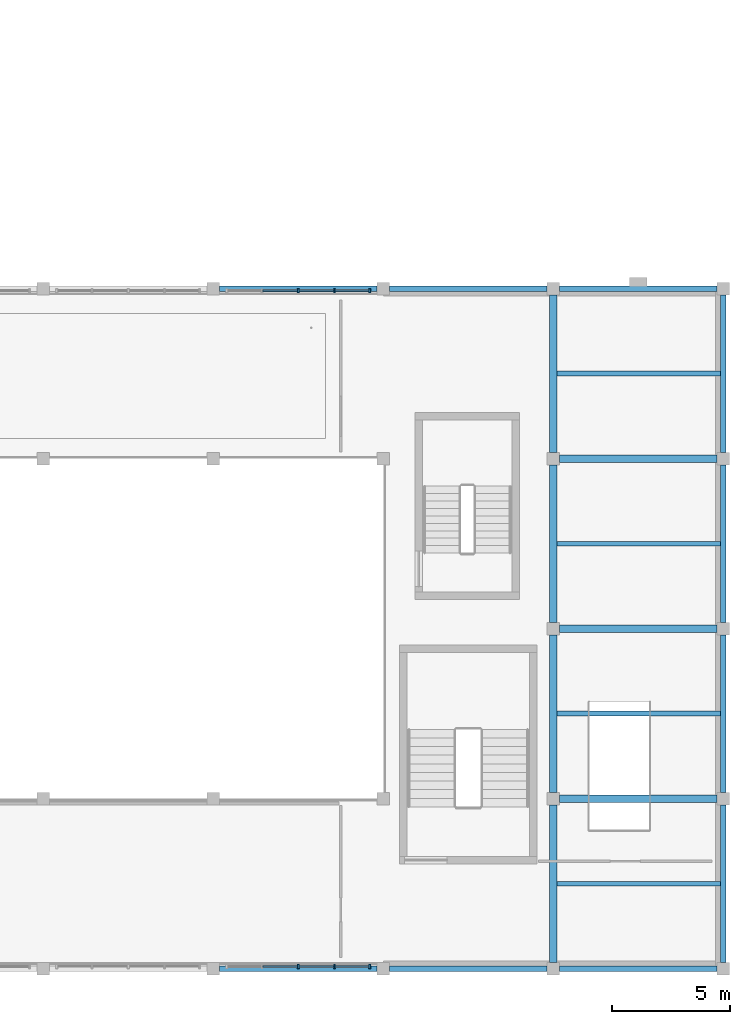
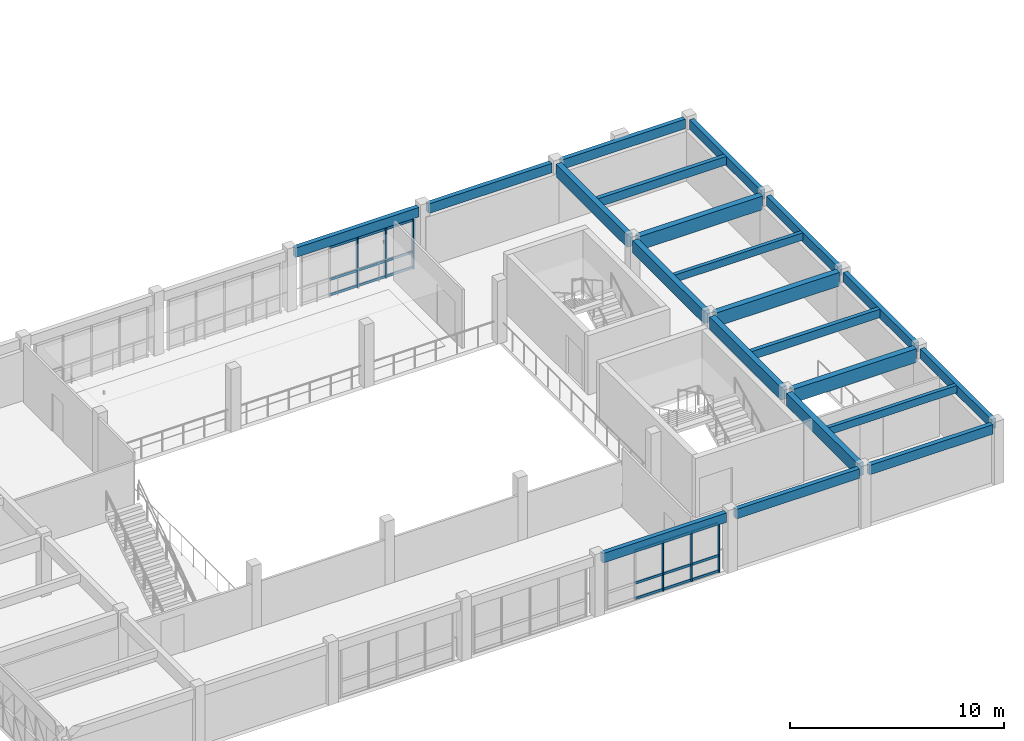
# One storey, part 13 of 99: 24 members, 21 beams, 2 elements without a shape of their own.
"""IFC4 building model written with IfcOpenShell, lengths in metres."""

import ifcopenshell
import ifcopenshell.guid

model = None  # the IFC model being written
_history = None  # IfcOwnerHistory: only IFC2X3 demands one
_inside = {}  # id of a spatial element -> (the spatial element, [elements in it])
_under = {}  # id of a project, library or spatial element -> (it, [spatial elements below it])
_declared = {}  # id of a project -> (the project, [libraries it declares])
_typed = {}  # id of a type object -> (the type object, [elements of that type])
_made_of = {}  # id of a material, layer set ... -> (it, [elements and type objects made of it])


def new_model(schema):
    """Start an empty IFC model of exactly this schema.

    Asked for "IFC4X3", IfcOpenShell would pick the latest addendum, in which some entities
    have other attributes; the version numbers below select the first issue.
    IFC2X3 requires an IfcOwnerHistory on every rooted entity: one is made here for all.
    """
    global model, _history
    if schema == "IFC4X3":
        model = ifcopenshell.file(schema_version=(4, 3, 0, 0))
    else:
        model = ifcopenshell.file(schema=schema)
    _inside.clear()
    _under.clear()
    _declared.clear()
    _typed.clear()
    _made_of.clear()
    _history = None
    if model.schema == "IFC2X3":
        org = make("IfcOrganization", Name="unknown")
        user = make(
            "IfcPersonAndOrganization",
            ThePerson=make("IfcPerson", FamilyName="unknown"),
            TheOrganization=org,
        )
        app = make(
            "IfcApplication",
            ApplicationDeveloper=org,
            Version="unknown",
            ApplicationFullName="unknown",
            ApplicationIdentifier="unknown",
        )
        _history = make(
            "IfcOwnerHistory",
            OwningUser=user,
            OwningApplication=app,
            ChangeAction="ADDED",
            CreationDate=0,
        )
    return model


def make(cls, **values):
    """One entity of the class cls with the attributes given. An attribute that is None is left unset."""
    return model.create_entity(
        cls, **{name: value for name, value in values.items() if value is not None}
    )


def rooted(cls, **values):
    """An entity with a GlobalId (a new one), such as an element, a storey or a relation."""
    return make(cls, GlobalId=ifcopenshell.guid.new(), OwnerHistory=_history, **values)


def si_unit(unit_type, name, prefix=None):
    """IfcSIUnit, for example si_unit("LENGTHUNIT", "METRE", prefix="MILLI")."""
    return make("IfcSIUnit", UnitType=unit_type, Prefix=prefix, Name=name)


def assignment(units):
    """IfcUnitAssignment: the units of a project."""
    return None if units is None else make("IfcUnitAssignment", Units=units)


def point(xyz):
    """IfcCartesianPoint."""
    return None if xyz is None else make("IfcCartesianPoint", Coordinates=xyz)


def direction(xyz):
    """IfcDirection."""
    return None if xyz is None else make("IfcDirection", DirectionRatios=xyz)


def frame(location, z_axis=None, x_axis=None):
    """IfcAxis2Placement3D, a coordinate frame: its origin and axes. An axis left out is left unset."""
    return make(
        "IfcAxis2Placement3D",
        Location=point(location),
        Axis=direction(z_axis),
        RefDirection=direction(x_axis),
    )


def frame_2d(location, x_axis=None):
    """IfcAxis2Placement2D, a coordinate frame in the plane: its origin and x axis."""
    return make(
        "IfcAxis2Placement2D", Location=point(location), RefDirection=direction(x_axis)
    )


def origin():
    """The frame at (0, 0, 0) with its axes left unset."""
    return frame((0.0, 0.0, 0.0))


def origin_2d():
    """The frame at (0, 0) in the plane with its x axis left unset."""
    return frame_2d((0.0, 0.0))


def place(relative_to, where):
    """IfcLocalPlacement: puts the frame where relative to a parent placement (None: the world)."""
    return make(
        "IfcLocalPlacement", PlacementRelTo=relative_to, RelativePlacement=where
    )


def context(
    kind, dimensions, precision=None, world=None, true_north=None, identifier=None
):
    """IfcGeometricRepresentationContext, for example the 3D "Model" context."""
    return make(
        "IfcGeometricRepresentationContext",
        ContextIdentifier=identifier,
        ContextType=kind,
        CoordinateSpaceDimension=dimensions,
        Precision=precision,
        WorldCoordinateSystem=world,
        TrueNorth=true_north,
    )


def subcontext(parent, identifier, kind, view, scale=None):
    """IfcGeometricRepresentationSubContext, for example "Body" below "Model"."""
    return make(
        "IfcGeometricRepresentationSubContext",
        ContextIdentifier=identifier,
        ContextType=kind,
        ParentContext=parent,
        TargetScale=scale,
        TargetView=view,
    )


def project(units=None, contexts=None):
    """IfcProject with its units and contexts."""
    return rooted(
        "IfcProject",
        Name="project",
        RepresentationContexts=contexts,
        UnitsInContext=assignment(units),
    )


def spatial(cls, under=None, at=None, **own):
    """A site, building, storey or space (cls), placed at a placement, below another one or the project."""
    s = rooted(cls, ObjectPlacement=at, **own)
    if under is not None:
        _under.setdefault(under.id(), (under, []))[1].append(s)
    return s


def profile(cls, at=None, kind="AREA", **sizes):
    """A parametric profile (cls). Its sizes go by their IFC names, for example OverallWidth=200.0."""
    return make(cls, ProfileType=kind, Position=at, **sizes)


def rectangle(**sizes):
    """IfcRectangleProfileDef."""
    return profile("IfcRectangleProfileDef", **sizes)


def extrude(swept, where, along, depth):
    """IfcExtrudedAreaSolid: the profile swept, set in the frame where, extruded along a direction by depth."""
    return make(
        "IfcExtrudedAreaSolid",
        SweptArea=swept,
        Position=where,
        ExtrudedDirection=direction(along),
        Depth=depth,
    )


def shape(context_of_items, identifier, shape_type, items):
    """IfcShapeRepresentation: the items that make up one representation, for example the "Body"."""
    return make(
        "IfcShapeRepresentation",
        ContextOfItems=context_of_items,
        RepresentationIdentifier=identifier,
        RepresentationType=shape_type,
        Items=items,
    )


def material(Name=None, Category=None):
    """IfcMaterial."""
    return make("IfcMaterial", Name=Name, Category=Category)


def material_profile(
    of_material, cross_section, Name=None, Category=None, Priority=None
):
    """IfcMaterialProfile: a cross section and its material."""
    return make(
        "IfcMaterialProfile",
        Name=Name,
        Material=of_material,
        Profile=cross_section,
        Priority=Priority,
        Category=Category,
    )


def profile_set(profiles, Name=None, composite=None):
    """IfcMaterialProfileSet."""
    return make(
        "IfcMaterialProfileSet",
        Name=Name,
        MaterialProfiles=profiles,
        CompositeProfile=composite,
    )


def made_of(thing, what):
    """Note that an element or type object is made of a material, layer set ...; save() writes the relation."""
    if what is not None:
        _made_of.setdefault(what.id(), (what, []))[1].append(thing)
    return thing


def type_object(cls, material=None, **own):
    """A type object (cls), such as IfcWallType, which elements share."""
    return made_of(rooted(cls, **own), material)


def element(
    cls,
    number,
    at=None,
    inside=None,
    cuts=None,
    type_object=None,
    material=None,
    context=None,
    identifier="Body",
    shape_type=None,
    held_by="IfcProductDefinitionShape",
    body=None,
    shapes=None,
    **own,
):
    """One element of the class cls, such as IfcWall. Its Tag is "e" and its number.

    at: its placement. inside: the storey or other place that contains it. cuts: it is an
    opening in that element (IfcRelVoidsElement). A single representation is given by context,
    identifier, shape_type and body (its items); several are given by shapes. held_by: the class
    of the entity that holds the representations. save() writes the other relations.
    """
    e = rooted(cls, Tag="e%d" % number, ObjectPlacement=at, **own)
    if body is not None:
        shapes = [shape(context, identifier, shape_type, body)]
    if shapes is not None:
        e.Representation = make(held_by, Representations=shapes)
    if inside is not None:
        _inside.setdefault(inside.id(), (inside, []))[1].append(e)
    if cuts is not None:
        rooted(
            "IfcRelVoidsElement", RelatingBuildingElement=cuts, RelatedOpeningElement=e
        )
    if type_object is not None:
        _typed.setdefault(type_object.id(), (type_object, []))[1].append(e)
    return made_of(e, material)


def aggregate(whole, parts):
    """IfcRelAggregates: a whole, such as a stair, and the parts it consists of."""
    return rooted("IfcRelAggregates", RelatingObject=whole, RelatedObjects=parts)


def save(model, path):
    """Write the relations noted so far, then the file.

    IfcRelAggregates (storeys below a building ...), IfcRelContainedInSpatialStructure (elements
    in a storey), IfcRelDefinesByType, IfcRelAssociatesMaterial and IfcRelDeclares: one each for
    every whole, place, type object, material and project.
    """
    for whole, parts in _under.values():
        aggregate(whole, parts)
    for where, things in _inside.values():
        rooted(
            "IfcRelContainedInSpatialStructure",
            RelatedElements=things,
            RelatingStructure=where,
        )
    for kind, things in _typed.values():
        rooted("IfcRelDefinesByType", RelatedObjects=things, RelatingType=kind)
    for what, things in _made_of.values():
        rooted("IfcRelAssociatesMaterial", RelatedObjects=things, RelatingMaterial=what)
    for by, libraries in _declared.values():
        rooted("IfcRelDeclares", RelatingContext=by, RelatedDefinitions=libraries)
    model.write(path)


model = new_model("IFC4")

# Units and contexts
model_context = context("Model", 3, precision=1e-05, world=origin(), true_north=direction((0.0, 1.0)))
body_context = subcontext(model_context, "Body", "Model", "MODEL_VIEW")
ifc_project = project(units=[si_unit("LENGTHUNIT", "METRE"), si_unit("AREAUNIT", "SQUARE_METRE"), si_unit("VOLUMEUNIT", "CUBIC_METRE"), si_unit("PLANEANGLEUNIT", "RADIAN"), si_unit("MASSUNIT", "GRAM", prefix="KILO")], contexts=[model_context])

# Site, building, storey
site_placement = place(None, origin())
site = spatial("IfcSite", under=ifc_project, at=site_placement, CompositionType="ELEMENT")
building_placement = place(site_placement, origin())
building = spatial("IfcBuilding", under=site, at=building_placement, Name="Alvorim Cloister Faculty of Sciences", CompositionType="ELEMENT")
storey_placement = place(building_placement, frame((0.0, 0.0, 12.14990234375)))
storey = spatial("IfcBuildingStorey", under=building, at=storey_placement, Name="L03", CompositionType="ELEMENT", Elevation=12.14990234375)

# Beams
ifc_material_1 = material(Name="Glulam GL32h", Category="wood")
ifc_material_profile_1 = material_profile(ifc_material_1, rectangle(XDim=0.300048828125, YDim=0.719970703125, at=origin_2d()), Name="GL32-BM-300x720")
ifc_profile_set_1 = profile_set([ifc_material_profile_1], Name="Glulam GL32h")
beam_type_1 = type_object("IfcBeamType", Name="BM-GL-300x720", PredefinedType="BEAM", material=ifc_profile_set_1)
for number, where, z_axis, x_axis, name in (
    (1, (108.0, 0.260009765625, 3.030029296875), (0.0, 1.0, 0.0), (-1.0, 0.0, 0.0), "L03 Primary Girder BM-1658"),
    (2, (108.0, 7.4599609375, 3.030029296875), (0.0, 1.0, 0.0), (-1.0, 0.0, 0.0), "L03 Primary Girder BM-1659"),
):
    element("IfcBeam", number, at=place(storey_placement, frame(where, z_axis=z_axis, x_axis=x_axis)), inside=storey, type_object=beam_type_1, Name=name, PredefinedType="BEAM", context=body_context, shape_type="SweptSolid", body=[
        extrude(rectangle(XDim=0.300048828125, YDim=0.719970703125, at=origin_2d()), origin(), (0.0, 0.0, 1.0), 6.679931640625),
    ])
beam_1_placement = place(storey_placement, frame((108.0, 14.659912109375, 3.030029296875), z_axis=(0.0, 1.0, 0.0), x_axis=(-1.0, 0.0, 0.0)))
element("IfcBeam", 3, at=beam_1_placement, inside=storey, type_object=beam_type_1, Name="L03 Primary Girder BM-1660", PredefinedType="BEAM", context=body_context, shape_type="SweptSolid", body=[
    extrude(rectangle(XDim=0.300048828125, YDim=0.719970703125, at=origin_2d()), origin(), (0.0, 0.0, 1.0), 6.68017578125),
])
beam_2_placement = place(storey_placement, frame((108.0, 21.860107421875, 3.030029296875), z_axis=(0.0, 1.0, 0.0), x_axis=(-1.0, 0.0, 0.0)))
element("IfcBeam", 4, at=beam_2_placement, inside=storey, type_object=beam_type_1, Name="L03 Primary Girder BM-1661", PredefinedType="BEAM", context=body_context, shape_type="SweptSolid", body=[
    extrude(rectangle(XDim=0.300048828125, YDim=0.719970703125, at=origin_2d()), origin(), (0.0, 0.0, 1.0), 6.679931640625),
])
ifc_material_profile_2 = material_profile(ifc_material_1, rectangle(XDim=0.320068359375, YDim=0.780029296875, at=origin_2d()), Name="GL32-BM-320x780")
ifc_profile_set_2 = profile_set([ifc_material_profile_2], Name="Glulam GL32h")
beam_type_2 = type_object("IfcBeamType", Name="BM-GL-320x780", PredefinedType="BEAM", material=ifc_profile_set_2)
for number, where, z_axis, x_axis, name in (
    (5, (108.260009765625, 7.199951171875, 3.0), (1.0, 0.0, 0.0), (0.0, 1.0, 0.0), "L03 Primary Beam BM-1520"),
    (6, (108.260009765625, 14.39990234375, 3.0), (1.0, 0.0, 0.0), (0.0, 1.0, 0.0), "L03 Primary Beam BM-1528"),
    (7, (108.260009765625, 21.60009765625, 3.0), (1.0, 0.0, 0.0), (0.0, 1.0, 0.0), "L03 Primary Beam BM-1530"),
):
    element("IfcBeam", number, at=place(storey_placement, frame(where, z_axis=z_axis, x_axis=x_axis)), inside=storey, type_object=beam_type_2, Name=name, PredefinedType="BEAM", context=body_context, shape_type="SweptSolid", body=[
        extrude(rectangle(XDim=0.320068359375, YDim=0.780029296875, at=origin_2d()), origin(), (0.0, 0.0, 1.0), 6.679931640625),
    ])
ifc_material_2 = material(Name="Glulam GL28h", Category="wood")
ifc_material_profile_3 = material_profile(ifc_material_2, rectangle(XDim=0.199951171875, YDim=0.419921875, at=origin_2d()), Name="GL28-JST-200x420")
ifc_profile_set_3 = profile_set([ifc_material_profile_3], Name="Glulam GL28h")
beam_type_3 = type_object("IfcBeamType", Name="BM-JST-GL-200x420", PredefinedType="JOIST", material=ifc_profile_set_3)
for number, where, z_axis, x_axis, name in (
    (8, (108.14990234375, 3.60009765625, 3.18017578125), (1.0, 0.0, 0.0), (0.0, 1.0, 0.0), "L03 Secondary Floor Joist BM-1718"),
    (9, (108.14990234375, 18.0, 3.18017578125), (1.0, 0.0, 0.0), (0.0, 1.0, 0.0), "L03 Secondary Floor Joist BM-1720"),
):
    element("IfcBeam", number, at=place(storey_placement, frame(where, z_axis=z_axis, x_axis=x_axis)), inside=storey, type_object=beam_type_3, Name=name, PredefinedType="JOIST", context=body_context, shape_type="SweptSolid", body=[
        extrude(rectangle(XDim=0.199951171875, YDim=0.419921875, at=origin_2d()), origin(), (0.0, 0.0, 1.0), 6.93017578125),
    ])
ifc_material_profile_4 = material_profile(ifc_material_2, rectangle(XDim=0.219970703125, YDim=0.47998046875, at=origin_2d()), Name="GL28-JST-220x480")
ifc_profile_set_4 = profile_set([ifc_material_profile_4], Name="Glulam GL28h")
beam_type_4 = type_object("IfcBeamType", Name="BM-JST-GL-220x480", PredefinedType="JOIST", material=ifc_profile_set_4)
for number, where, z_axis, x_axis, name in (
    (10, (108.14990234375, 10.800048828125, 3.150146484375), (1.0, 0.0, 0.0), (0.0, 1.0, 0.0), "L03 Secondary Floor Joist BM-1719"),
    (11, (108.14990234375, 25.199951171875, 3.150146484375), (1.0, 0.0, 0.0), (0.0, 1.0, 0.0), "L03 Secondary Floor Joist BM-1721"),
):
    element("IfcBeam", number, at=place(storey_placement, frame(where, z_axis=z_axis, x_axis=x_axis)), inside=storey, type_object=beam_type_4, Name=name, PredefinedType="JOIST", context=body_context, shape_type="SweptSolid", body=[
        extrude(rectangle(XDim=0.219970703125, YDim=0.47998046875, at=origin_2d()), origin(), (0.0, 0.0, 1.0), 6.93017578125),
    ])
ifc_material_profile_5 = material_profile(ifc_material_2, rectangle(XDim=0.239990234375, YDim=0.5400390625, at=origin_2d()), Name="GL28-SPD-240x540")
ifc_profile_set_5 = profile_set([ifc_material_profile_5], Name="Glulam GL28h")
beam_type_5 = type_object("IfcBeamType", Name="BM-SPD-GL-240x540", PredefinedType="SPANDREL", material=ifc_profile_set_5)
for number, where, z_axis, x_axis, name in (
    (12, (93.860107421875, 0.0, 3.1201171875), (1.0, 0.0, 0.0), (0.0, 1.0, 0.0), "L03 Primary Beam BM-1510"),
    (13, (101.06005859375, 0.0, 3.1201171875), (1.0, 0.0, 0.0), (0.0, 1.0, 0.0), "L03 Primary Beam BM-1511"),
    (14, (108.260009765625, 0.0, 3.1201171875), (1.0, 0.0, 0.0), (0.0, 1.0, 0.0), "L03 Primary Beam BM-1512"),
    (15, (93.860107421875, 28.800048828125, 3.1201171875), (1.0, 0.0, 0.0), (0.0, 1.0, 0.0), "L03 Primary Beam BM-1535"),
    (16, (101.06005859375, 28.800048828125, 3.1201171875), (1.0, 0.0, 0.0), (0.0, 1.0, 0.0), "L03 Primary Beam BM-1536"),
    (17, (108.260009765625, 28.800048828125, 3.1201171875), (1.0, 0.0, 0.0), (0.0, 1.0, 0.0), "L03 Primary Beam BM-1537"),
    (18, (115.199951171875, 0.260009765625, 3.1201171875), (0.0, 1.0, 0.0), (-1.0, 0.0, 0.0), "L03 Primary Girder BM-1662"),
    (19, (115.199951171875, 7.4599609375, 3.1201171875), (0.0, 1.0, 0.0), (-1.0, 0.0, 0.0), "L03 Primary Girder BM-1663"),
):
    element("IfcBeam", number, at=place(storey_placement, frame(where, z_axis=z_axis, x_axis=x_axis)), inside=storey, type_object=beam_type_5, Name=name, PredefinedType="SPANDREL", context=body_context, shape_type="SweptSolid", body=[
        extrude(rectangle(XDim=0.239990234375, YDim=0.5400390625, at=origin_2d()), origin(), (0.0, 0.0, 1.0), 6.679931640625),
    ])
beam_3_placement = place(storey_placement, frame((115.199951171875, 14.659912109375, 3.1201171875), z_axis=(0.0, 1.0, 0.0), x_axis=(-1.0, 0.0, 0.0)))
element("IfcBeam", 20, at=beam_3_placement, inside=storey, type_object=beam_type_5, Name="L03 Primary Girder BM-1664", PredefinedType="SPANDREL", context=body_context, shape_type="SweptSolid", body=[
    extrude(rectangle(XDim=0.239990234375, YDim=0.5400390625, at=origin_2d()), origin(), (0.0, 0.0, 1.0), 6.68017578125),
])
beam_4_placement = place(storey_placement, frame((115.199951171875, 21.860107421875, 3.1201171875), z_axis=(0.0, 1.0, 0.0), x_axis=(-1.0, 0.0, 0.0)))
element("IfcBeam", 21, at=beam_4_placement, inside=storey, type_object=beam_type_5, Name="L03 Primary Girder BM-1665", PredefinedType="SPANDREL", context=body_context, shape_type="SweptSolid", body=[
    extrude(rectangle(XDim=0.239990234375, YDim=0.5400390625, at=origin_2d()), origin(), (0.0, 0.0, 1.0), 6.679931640625),
])

# Curtain wall, members
ifc_material_3 = material(Name="Aluminium and Low-E Glass Curtain Wall", Category="aluminium")
curtain_wall_type = type_object("IfcCurtainWallType", Name="CW-GLZ-6120x2850", PredefinedType="USERDEFINED", material=ifc_material_3)
curtain_wall_1_placement = place(storey_placement, origin())
curtain_wall_1 = element("IfcCurtainWall", 22, at=curtain_wall_1_placement, inside=storey, type_object=curtain_wall_type, Name="L03 Entrance and Atrium Glazed Curtain Wall CW-0155", ObjectType="UNITISED CURTAIN WALL", PredefinedType="USERDEFINED")
ifc_material_4 = material(Name="Aluminium Alloy 6063-T6", Category="aluminium")
ifc_material_profile_6 = material_profile(ifc_material_4, rectangle(XDim=0.06494140625, YDim=0.179931640625, at=origin_2d()), Name="ALU-MUL-65x180")
ifc_profile_set_6 = profile_set([ifc_material_profile_6], Name="Aluminium Alloy 6063-T6")
member_type_1 = type_object("IfcMemberType", Name="CW-MUL-65x180", PredefinedType="MULLION", material=ifc_profile_set_6)
member_1_placement = place(storey_placement, frame((97.199951171875, 0.090087890625, 0.0), z_axis=(0.0, 0.0, 1.0), x_axis=(1.0, 0.0, 0.0)))
member_1 = element("IfcMember", 23, at=member_1_placement, type_object=member_type_1, Name="CW-10 mullion 3", PredefinedType="MULLION", context=body_context, shape_type="SweptSolid", body=[
    extrude(rectangle(XDim=0.06494140625, YDim=0.179931640625, at=origin_2d()), origin(), (0.0, 0.0, 1.0), 2.85009765625),
])
member_2_placement = place(storey_placement, frame((98.72998046875, 0.090087890625, 0.0), z_axis=(0.0, 0.0, 1.0), x_axis=(1.0, 0.0, 0.0)))
member_2 = element("IfcMember", 24, at=member_2_placement, type_object=member_type_1, Name="CW-10 mullion 4", PredefinedType="MULLION", context=body_context, shape_type="SweptSolid", body=[
    extrude(rectangle(XDim=0.06494140625, YDim=0.179931640625, at=origin_2d()), origin(), (0.0, 0.0, 1.0), 2.85009765625),
])
member_3_placement = place(storey_placement, frame((100.2275390625, 0.090087890625, 0.0), z_axis=(0.0, 0.0, 1.0), x_axis=(1.0, 0.0, 0.0)))
member_3 = element("IfcMember", 25, at=member_3_placement, type_object=member_type_1, Name="CW-10 mullion 5", PredefinedType="MULLION", context=body_context, shape_type="SweptSolid", body=[
    extrude(rectangle(XDim=0.06494140625, YDim=0.179931640625, at=origin_2d()), origin(), (0.0, 0.0, 1.0), 2.85009765625),
])

curtain_wall_2_placement = place(storey_placement, origin())
curtain_wall_2 = element("IfcCurtainWall", 26, at=curtain_wall_2_placement, inside=storey, type_object=curtain_wall_type, Name="L03 Entrance and Atrium Glazed Curtain Wall CW-0164", ObjectType="UNITISED CURTAIN WALL", PredefinedType="USERDEFINED")
member_4_placement = place(storey_placement, frame((97.199951171875, 28.7099609375, 0.0), z_axis=(0.0, 0.0, 1.0), x_axis=(1.0, 0.0, 0.0)))
member_4 = element("IfcMember", 27, at=member_4_placement, type_object=member_type_1, Name="CW-10 mullion 3", PredefinedType="MULLION", context=body_context, shape_type="SweptSolid", body=[
    extrude(rectangle(XDim=0.06494140625, YDim=0.179931640625, at=origin_2d()), origin(), (0.0, 0.0, 1.0), 2.85009765625),
])
member_5_placement = place(storey_placement, frame((98.72998046875, 28.7099609375, 0.0), z_axis=(0.0, 0.0, 1.0), x_axis=(1.0, 0.0, 0.0)))
member_5 = element("IfcMember", 28, at=member_5_placement, type_object=member_type_1, Name="CW-10 mullion 4", PredefinedType="MULLION", context=body_context, shape_type="SweptSolid", body=[
    extrude(rectangle(XDim=0.06494140625, YDim=0.179931640625, at=origin_2d()), origin(), (0.0, 0.0, 1.0), 2.85009765625),
])
member_6_placement = place(storey_placement, frame((100.2275390625, 28.7099609375, 0.0), z_axis=(0.0, 0.0, 1.0), x_axis=(1.0, 0.0, 0.0)))
member_6 = element("IfcMember", 29, at=member_6_placement, type_object=member_type_1, Name="CW-10 mullion 5", PredefinedType="MULLION", context=body_context, shape_type="SweptSolid", body=[
    extrude(rectangle(XDim=0.06494140625, YDim=0.179931640625, at=origin_2d()), origin(), (0.0, 0.0, 1.0), 2.85009765625),
])

# Member
ifc_material_profile_7 = material_profile(ifc_material_4, rectangle(XDim=0.06494140625, YDim=0.139892578125, at=origin_2d()), Name="ALU-TRN-65x140")
ifc_profile_set_7 = profile_set([ifc_material_profile_7], Name="Aluminium Alloy 6063-T6")
member_type_2 = type_object("IfcMemberType", Name="CW-TRN-65x140", PredefinedType="USERDEFINED", material=ifc_profile_set_7)
member_7_placement = place(storey_placement, frame((95.702392578125, 0.090087890625, 0.070068359375), z_axis=(1.0, 0.0, 0.0), x_axis=(0.0, 1.0, 0.0)))
member_7 = element("IfcMember", 30, at=member_7_placement, type_object=member_type_2, Name="CW-10 transom 2.1", ObjectType="TRANSOM", PredefinedType="USERDEFINED", context=body_context, shape_type="SweptSolid", body=[
    extrude(rectangle(XDim=0.06494140625, YDim=0.139892578125, at=origin_2d()), origin(), (0.0, 0.0, 1.0), 1.465087890625),
])

member_8_placement = place(storey_placement, frame((95.702392578125, 0.090087890625, 0.9501953125), z_axis=(1.0, 0.0, 0.0), x_axis=(0.0, 1.0, 0.0)))
member_8 = element("IfcMember", 31, at=member_8_placement, type_object=member_type_2, Name="CW-10 transom 2.2", ObjectType="TRANSOM", PredefinedType="USERDEFINED", context=body_context, shape_type="SweptSolid", body=[
    extrude(rectangle(XDim=0.06494140625, YDim=0.139892578125, at=origin_2d()), origin(), (0.0, 0.0, 1.0), 1.465087890625),
])

member_9_placement = place(storey_placement, frame((95.702392578125, 0.090087890625, 2.780029296875), z_axis=(1.0, 0.0, 0.0), x_axis=(0.0, 1.0, 0.0)))
member_9 = element("IfcMember", 32, at=member_9_placement, type_object=member_type_2, Name="CW-10 transom 2.3", ObjectType="TRANSOM", PredefinedType="USERDEFINED", context=body_context, shape_type="SweptSolid", body=[
    extrude(rectangle(XDim=0.06494140625, YDim=0.139892578125, at=origin_2d()), origin(), (0.0, 0.0, 1.0), 1.465087890625),
])

member_10_placement = place(storey_placement, frame((97.232421875, 0.090087890625, 0.070068359375), z_axis=(1.0, 0.0, 0.0), x_axis=(0.0, 1.0, 0.0)))
member_10 = element("IfcMember", 33, at=member_10_placement, type_object=member_type_2, Name="CW-10 transom 3.1", ObjectType="TRANSOM", PredefinedType="USERDEFINED", context=body_context, shape_type="SweptSolid", body=[
    extrude(rectangle(XDim=0.06494140625, YDim=0.139892578125, at=origin_2d()), origin(), (0.0, 0.0, 1.0), 1.465087890625),
])

member_11_placement = place(storey_placement, frame((97.232421875, 0.090087890625, 0.9501953125), z_axis=(1.0, 0.0, 0.0), x_axis=(0.0, 1.0, 0.0)))
member_11 = element("IfcMember", 34, at=member_11_placement, type_object=member_type_2, Name="CW-10 transom 3.2", ObjectType="TRANSOM", PredefinedType="USERDEFINED", context=body_context, shape_type="SweptSolid", body=[
    extrude(rectangle(XDim=0.06494140625, YDim=0.139892578125, at=origin_2d()), origin(), (0.0, 0.0, 1.0), 1.465087890625),
])

member_12_placement = place(storey_placement, frame((97.232421875, 0.090087890625, 2.780029296875), z_axis=(1.0, 0.0, 0.0), x_axis=(0.0, 1.0, 0.0)))
member_12 = element("IfcMember", 35, at=member_12_placement, type_object=member_type_2, Name="CW-10 transom 3.3", ObjectType="TRANSOM", PredefinedType="USERDEFINED", context=body_context, shape_type="SweptSolid", body=[
    extrude(rectangle(XDim=0.06494140625, YDim=0.139892578125, at=origin_2d()), origin(), (0.0, 0.0, 1.0), 1.465087890625),
])

member_13_placement = place(storey_placement, frame((98.762451171875, 0.090087890625, 0.070068359375), z_axis=(1.0, 0.0, 0.0), x_axis=(0.0, 1.0, 0.0)))
member_13 = element("IfcMember", 36, at=member_13_placement, type_object=member_type_2, Name="CW-10 transom 4.1", ObjectType="TRANSOM", PredefinedType="USERDEFINED", context=body_context, shape_type="SweptSolid", body=[
    extrude(rectangle(XDim=0.06494140625, YDim=0.139892578125, at=origin_2d()), origin(), (0.0, 0.0, 1.0), 1.4326171875),
])

member_14_placement = place(storey_placement, frame((98.762451171875, 0.090087890625, 0.9501953125), z_axis=(1.0, 0.0, 0.0), x_axis=(0.0, 1.0, 0.0)))
member_14 = element("IfcMember", 37, at=member_14_placement, type_object=member_type_2, Name="CW-10 transom 4.2", ObjectType="TRANSOM", PredefinedType="USERDEFINED", context=body_context, shape_type="SweptSolid", body=[
    extrude(rectangle(XDim=0.06494140625, YDim=0.139892578125, at=origin_2d()), origin(), (0.0, 0.0, 1.0), 1.4326171875),
])

member_15_placement = place(storey_placement, frame((98.762451171875, 0.090087890625, 2.780029296875), z_axis=(1.0, 0.0, 0.0), x_axis=(0.0, 1.0, 0.0)))
member_15 = element("IfcMember", 38, at=member_15_placement, type_object=member_type_2, Name="CW-10 transom 4.3", ObjectType="TRANSOM", PredefinedType="USERDEFINED", context=body_context, shape_type="SweptSolid", body=[
    extrude(rectangle(XDim=0.06494140625, YDim=0.139892578125, at=origin_2d()), origin(), (0.0, 0.0, 1.0), 1.4326171875),
])

aggregate(curtain_wall_1, [member_1, member_2, member_3, member_7, member_8, member_9, member_10, member_11, member_12, member_13, member_14, member_15])

member_16_placement = place(storey_placement, frame((95.702392578125, 28.7099609375, 0.070068359375), z_axis=(1.0, 0.0, 0.0), x_axis=(0.0, 1.0, 0.0)))
member_16 = element("IfcMember", 39, at=member_16_placement, type_object=member_type_2, Name="CW-10 transom 2.1", ObjectType="TRANSOM", PredefinedType="USERDEFINED", context=body_context, shape_type="SweptSolid", body=[
    extrude(rectangle(XDim=0.06494140625, YDim=0.139892578125, at=origin_2d()), origin(), (0.0, 0.0, 1.0), 1.465087890625),
])

member_17_placement = place(storey_placement, frame((95.702392578125, 28.7099609375, 0.9501953125), z_axis=(1.0, 0.0, 0.0), x_axis=(0.0, 1.0, 0.0)))
member_17 = element("IfcMember", 40, at=member_17_placement, type_object=member_type_2, Name="CW-10 transom 2.2", ObjectType="TRANSOM", PredefinedType="USERDEFINED", context=body_context, shape_type="SweptSolid", body=[
    extrude(rectangle(XDim=0.06494140625, YDim=0.139892578125, at=origin_2d()), origin(), (0.0, 0.0, 1.0), 1.465087890625),
])

member_18_placement = place(storey_placement, frame((95.702392578125, 28.7099609375, 2.780029296875), z_axis=(1.0, 0.0, 0.0), x_axis=(0.0, 1.0, 0.0)))
member_18 = element("IfcMember", 41, at=member_18_placement, type_object=member_type_2, Name="CW-10 transom 2.3", ObjectType="TRANSOM", PredefinedType="USERDEFINED", context=body_context, shape_type="SweptSolid", body=[
    extrude(rectangle(XDim=0.06494140625, YDim=0.139892578125, at=origin_2d()), origin(), (0.0, 0.0, 1.0), 1.465087890625),
])

member_19_placement = place(storey_placement, frame((97.232421875, 28.7099609375, 0.070068359375), z_axis=(1.0, 0.0, 0.0), x_axis=(0.0, 1.0, 0.0)))
member_19 = element("IfcMember", 42, at=member_19_placement, type_object=member_type_2, Name="CW-10 transom 3.1", ObjectType="TRANSOM", PredefinedType="USERDEFINED", context=body_context, shape_type="SweptSolid", body=[
    extrude(rectangle(XDim=0.06494140625, YDim=0.139892578125, at=origin_2d()), origin(), (0.0, 0.0, 1.0), 1.465087890625),
])

member_20_placement = place(storey_placement, frame((97.232421875, 28.7099609375, 0.9501953125), z_axis=(1.0, 0.0, 0.0), x_axis=(0.0, 1.0, 0.0)))
member_20 = element("IfcMember", 43, at=member_20_placement, type_object=member_type_2, Name="CW-10 transom 3.2", ObjectType="TRANSOM", PredefinedType="USERDEFINED", context=body_context, shape_type="SweptSolid", body=[
    extrude(rectangle(XDim=0.06494140625, YDim=0.139892578125, at=origin_2d()), origin(), (0.0, 0.0, 1.0), 1.465087890625),
])

member_21_placement = place(storey_placement, frame((97.232421875, 28.7099609375, 2.780029296875), z_axis=(1.0, 0.0, 0.0), x_axis=(0.0, 1.0, 0.0)))
member_21 = element("IfcMember", 44, at=member_21_placement, type_object=member_type_2, Name="CW-10 transom 3.3", ObjectType="TRANSOM", PredefinedType="USERDEFINED", context=body_context, shape_type="SweptSolid", body=[
    extrude(rectangle(XDim=0.06494140625, YDim=0.139892578125, at=origin_2d()), origin(), (0.0, 0.0, 1.0), 1.465087890625),
])

member_22_placement = place(storey_placement, frame((98.762451171875, 28.7099609375, 0.070068359375), z_axis=(1.0, 0.0, 0.0), x_axis=(0.0, 1.0, 0.0)))
member_22 = element("IfcMember", 45, at=member_22_placement, type_object=member_type_2, Name="CW-10 transom 4.1", ObjectType="TRANSOM", PredefinedType="USERDEFINED", context=body_context, shape_type="SweptSolid", body=[
    extrude(rectangle(XDim=0.06494140625, YDim=0.139892578125, at=origin_2d()), origin(), (0.0, 0.0, 1.0), 1.4326171875),
])

member_23_placement = place(storey_placement, frame((98.762451171875, 28.7099609375, 0.9501953125), z_axis=(1.0, 0.0, 0.0), x_axis=(0.0, 1.0, 0.0)))
member_23 = element("IfcMember", 46, at=member_23_placement, type_object=member_type_2, Name="CW-10 transom 4.2", ObjectType="TRANSOM", PredefinedType="USERDEFINED", context=body_context, shape_type="SweptSolid", body=[
    extrude(rectangle(XDim=0.06494140625, YDim=0.139892578125, at=origin_2d()), origin(), (0.0, 0.0, 1.0), 1.4326171875),
])

member_24_placement = place(storey_placement, frame((98.762451171875, 28.7099609375, 2.780029296875), z_axis=(1.0, 0.0, 0.0), x_axis=(0.0, 1.0, 0.0)))
member_24 = element("IfcMember", 47, at=member_24_placement, type_object=member_type_2, Name="CW-10 transom 4.3", ObjectType="TRANSOM", PredefinedType="USERDEFINED", context=body_context, shape_type="SweptSolid", body=[
    extrude(rectangle(XDim=0.06494140625, YDim=0.139892578125, at=origin_2d()), origin(), (0.0, 0.0, 1.0), 1.4326171875),
])

aggregate(curtain_wall_2, [member_4, member_5, member_6, member_16, member_17, member_18, member_19, member_20, member_21, member_22, member_23, member_24])

save(model, "model.ifc")
